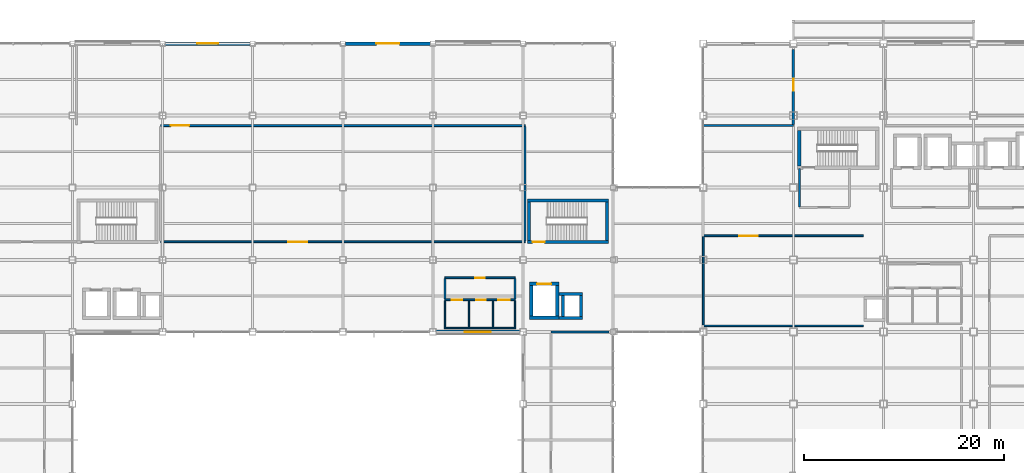
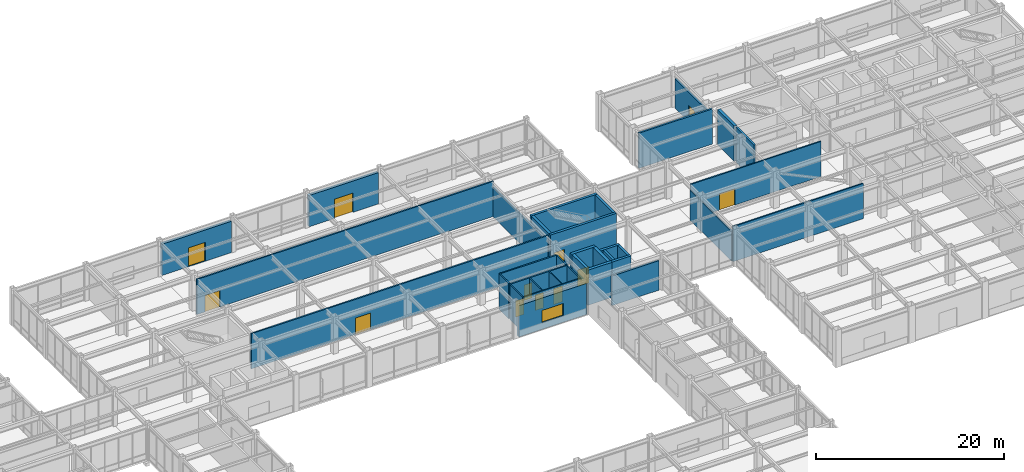
# One storey, part 92 of 112: 35 walls, 12 doors, 1 window, 13 openings.
"""IFC4 building model written with IfcOpenShell, lengths in metres."""

from ifc_helpers import new_model, si_unit, direction, frame, frame_2d, origin, place, context, subcontext, project, spatial, rectangle, extrude, material, layer, layer_set, type_object, element, fill, save


model = new_model("IFC4")

# Units and contexts
model_context = context("Model", 3, precision=1e-05, world=origin(), true_north=direction((0.0, 1.0)))
body_context = subcontext(model_context, "Body", "Model", "MODEL_VIEW")
ifc_project = project(units=[si_unit("LENGTHUNIT", "METRE"), si_unit("AREAUNIT", "SQUARE_METRE"), si_unit("VOLUMEUNIT", "CUBIC_METRE"), si_unit("PLANEANGLEUNIT", "RADIAN"), si_unit("MASSUNIT", "GRAM", prefix="KILO")], contexts=[model_context])

# Site, building, storey
site_placement = place(None, origin())
site = spatial("IfcSite", under=ifc_project, at=site_placement, CompositionType="ELEMENT")
building_placement = place(site_placement, origin())
building = spatial("IfcBuilding", under=site, at=building_placement, Name="Kazanami Central Library", CompositionType="ELEMENT")
storey_placement = place(building_placement, origin())
storey = spatial("IfcBuildingStorey", under=building, at=storey_placement, Name="L01", CompositionType="ELEMENT", Elevation=0.0)

# Wall, opening, window
ifc_material_1 = material(Name="Concrete Fc36 (36 MPa)", Category="concrete")
ifc_layer_1 = layer(ifc_material_1, 0.27001953125, Name="Concrete Fc36 (36 MPa)")
ifc_material_2 = material(Name="Extruded Polystyrene XPS", Category="earth")
ifc_layer_2 = layer(ifc_material_2, 0.050048828125, Name="Extruded Polystyrene XPS")
ifc_material_3 = material(Name="Honed Inada Granite", Category="masonry")
ifc_layer_3 = layer(ifc_material_3, 0.030029296875, Name="Honed Inada Granite")
ifc_layer_set_1 = layer_set([ifc_layer_1, ifc_layer_2, ifc_layer_3], Name="Concrete Fc36 (36 MPa)")
wall_type_1 = type_object("IfcWallType", Name="WAL-EW-350", PredefinedType="STANDARD", material=ifc_layer_set_1)
wall_1_placement = place(storey_placement, frame((90.324951171875, 64.800048828125, 0.0), z_axis=(0.0, 0.0, 1.0), x_axis=(1.0, 0.0, 0.0)))
wall_1 = element("IfcWall", 1, at=wall_1_placement, inside=storey, type_object=wall_type_1, Name="Exterior Facade Wall EW-350 L01 S-K-10", PredefinedType="STANDARD", context=body_context, shape_type="SweptSolid", body=[
    extrude(rectangle(XDim=8.35009765625, YDim=0.35009765625, at=frame_2d((4.175048828125, 0.0))), origin(), (0.0, 0.0, 1.0), 4.054931640625),
])
opening_1_placement = place(wall_1_placement, frame((2.875, 0.0, 0.85009765625)))
opening_1 = element("IfcOpeningElement", 2, at=opening_1_placement, cuts=wall_1, Name="Opening WN-13", PredefinedType="OPENING", context=body_context, shape_type="SweptSolid", body=[
    extrude(rectangle(XDim=2.60009765625, YDim=1.60009765625, at=frame_2d((1.300048828125, 0.800048828125))), frame((0.0, 0.18701171875, 0.0), z_axis=(0.0, -1.0, 0.0), x_axis=(1.0, 0.0, 0.0)), (0.0, 0.0, 1.0), 0.3740234375),
])
ifc_material_4 = material(Name="Low-E Insulated Triple Glass", Category="glass")
window_type = type_object("IfcWindowType", Name="WIN-WN-13", PartitioningType="DOUBLE_PANEL_VERTICAL", PredefinedType="WINDOW", material=ifc_material_4)
window_placement = place(opening_1_placement, origin())
window = element("IfcWindow", 3, at=window_placement, inside=storey, type_object=window_type, Name="Facade Window WN-13 L01 S-K-10", OverallHeight=1.60009765625, OverallWidth=2.60009765625, PartitioningType="DOUBLE_PANEL_VERTICAL", PredefinedType="WINDOW", context=body_context, shape_type="SweptSolid", body=[
    extrude(rectangle(XDim=2.60009765625, YDim=1.60009765625, at=frame_2d((1.300048828125, 0.800048828125))), frame((0.0, 0.030029296875, 0.0), z_axis=(0.0, -1.0, 0.0), x_axis=(1.0, 0.0, 0.0)), (0.0, 0.0, 1.0), 0.06005859375),
])
fill(opening_1, window)

# Wall, opening, door
wall_2_placement = place(storey_placement, frame((71.75, 93.60009765625, 0.0), z_axis=(0.0, 0.0, 1.0), x_axis=(-1.0, 0.0, 0.0)))
wall_2 = element("IfcWall", 4, at=wall_2_placement, inside=storey, type_object=wall_type_1, Name="Exterior Facade Wall EW-350 L01 N-O-07", PredefinedType="STANDARD", context=body_context, shape_type="SweptSolid", body=[
    extrude(rectangle(XDim=8.5, YDim=0.35009765625, at=frame_2d((4.25, 0.0))), origin(), (0.0, 0.0, 1.0), 4.054931640625),
])
opening_2_placement = place(wall_2_placement, frame((3.199951171875, 0.0, 0.0)))
opening_2 = element("IfcOpeningElement", 5, at=opening_2_placement, cuts=wall_2, Name="Opening ED-05", PredefinedType="OPENING", context=body_context, shape_type="SweptSolid", body=[
    extrude(rectangle(XDim=2.10009765625, YDim=2.449951171875, at=frame_2d((1.050048828125, 1.22509765625))), frame((0.0, 0.18701171875, 0.0), z_axis=(0.0, -1.0, 0.0), x_axis=(1.0, 0.0, 0.0)), (0.0, 0.0, 1.0), 0.3740234375),
])
ifc_material_5 = material(Name="Anodised Aluminium A6063-T5", Category="aluminium")
door_type_1 = type_object("IfcDoorType", Name="DOR-ED-05", OperationType="DOUBLE_DOOR_SINGLE_SWING", PredefinedType="DOOR", material=ifc_material_5)
door_1_placement = place(opening_2_placement, frame((2.10009765625, 0.0, 0.0), z_axis=(0.0, 0.0, 1.0), x_axis=(-1.0, 0.0, 0.0)))
door_1 = element("IfcDoor", 6, at=door_1_placement, inside=storey, type_object=door_type_1, Name="Main Pedestrian Exit Door 13", OperationType="DOUBLE_DOOR_SINGLE_SWING", OverallHeight=2.449951171875, OverallWidth=2.10009765625, PredefinedType="DOOR", context=body_context, shape_type="SweptSolid", body=[
    extrude(rectangle(XDim=2.10009765625, YDim=2.449951171875, at=frame_2d((1.050048828125, 1.22509765625))), frame((0.0, 0.02490234375, 0.0), z_axis=(0.0, -1.0, 0.0), x_axis=(1.0, 0.0, 0.0)), (0.0, 0.0, 1.0), 0.050048828125),
])
fill(opening_2, door_1)

wall_3_placement = place(storey_placement, frame((89.75, 93.60009765625, 0.0), z_axis=(0.0, 0.0, 1.0), x_axis=(-1.0, 0.0, 0.0)))
wall_3 = element("IfcWall", 7, at=wall_3_placement, inside=storey, type_object=wall_type_1, Name="Exterior Facade Wall EW-350 L01 N-O-09", PredefinedType="STANDARD", context=body_context, shape_type="SweptSolid", body=[
    extrude(rectangle(XDim=8.5, YDim=0.35009765625, at=frame_2d((4.25, 0.0))), origin(), (0.0, 0.0, 1.0), 4.054931640625),
])
opening_3_placement = place(wall_3_placement, frame((3.10009765625, 0.0, 0.0)))
opening_3 = element("IfcOpeningElement", 8, at=opening_3_placement, cuts=wall_3, Name="Opening ED-06", PredefinedType="OPENING", context=body_context, shape_type="SweptSolid", body=[
    extrude(rectangle(XDim=2.300048828125, YDim=2.5, at=frame_2d((1.14990234375, 1.25))), frame((0.0, 0.18701171875, 0.0), z_axis=(0.0, -1.0, 0.0), x_axis=(1.0, 0.0, 0.0)), (0.0, 0.0, 1.0), 0.3740234375),
])
door_type_2 = type_object("IfcDoorType", Name="DOR-ED-06", OperationType="DOUBLE_DOOR_SINGLE_SWING", PredefinedType="DOOR", material=ifc_material_5)
door_2_placement = place(opening_3_placement, frame((2.300048828125, 0.0, 0.0), z_axis=(0.0, 0.0, 1.0), x_axis=(-1.0, 0.0, 0.0)))
door_2 = element("IfcDoor", 9, at=door_2_placement, inside=storey, type_object=door_type_2, Name="Main Pedestrian Exit Door 14", OperationType="DOUBLE_DOOR_SINGLE_SWING", OverallHeight=2.5, OverallWidth=2.300048828125, PredefinedType="DOOR", context=body_context, shape_type="SweptSolid", body=[
    extrude(rectangle(XDim=2.300048828125, YDim=2.5, at=frame_2d((1.14990234375, 1.25))), frame((0.0, 0.02490234375, 0.0), z_axis=(0.0, -1.0, 0.0), x_axis=(1.0, 0.0, 0.0)), (0.0, 0.0, 1.0), 0.050048828125),
])
fill(opening_3, door_2)

# Wall
ifc_material_6 = material(Name="Fire-Resistant Gypsum Board GB-F", Category="gypsum")
ifc_layer_4 = layer(ifc_material_6, 0.1650390625, Name="Fire-Resistant Gypsum Board GB-F")
ifc_layer_set_2 = layer_set([ifc_layer_4], Name="Fire-Resistant Gypsum Board GB-F")
wall_type_2 = type_object("IfcWallType", Name="WAL-FW-165", PredefinedType="PARTITIONING", material=ifc_layer_set_2)
wall_4_placement = place(storey_placement, frame((117.0, 65.39990234375, 0.0), z_axis=(0.0, 0.0, 1.0), x_axis=(1.0, 0.0, 0.0)))
element("IfcWall", 10, at=wall_4_placement, inside=storey, type_object=wall_type_2, Name="Interior Partition FW-165 L01 RM-41 (South)", PredefinedType="PARTITIONING", context=body_context, shape_type="SweptSolid", body=[
    extrude(rectangle(XDim=16.0, YDim=0.1650390625, at=frame_2d((8.0, 0.0))), origin(), (0.0, 0.0, 1.0), 4.554931640625),
])

# Wall, opening, door
wall_5_placement = place(storey_placement, frame((117.0, 74.39990234375, 0.0), z_axis=(0.0, 0.0, 1.0), x_axis=(1.0, 0.0, 0.0)))
wall_5 = element("IfcWall", 11, at=wall_5_placement, inside=storey, type_object=wall_type_2, Name="Interior Partition FW-165 L01 RM-41 (North)", PredefinedType="PARTITIONING", context=body_context, shape_type="SweptSolid", body=[
    extrude(rectangle(XDim=16.0, YDim=0.1650390625, at=frame_2d((8.0, 0.0))), origin(), (0.0, 0.0, 1.0), 4.554931640625),
])
opening_4_placement = place(wall_5_placement, frame((3.574951171875, 0.0, 0.0)))
opening_4 = element("IfcOpeningElement", 12, at=opening_4_placement, cuts=wall_5, Name="Opening FD30-5", PredefinedType="OPENING", context=body_context, shape_type="SweptSolid", body=[
    extrude(rectangle(XDim=1.85009765625, YDim=2.1201171875, at=frame_2d((0.925048828125, 1.06005859375))), frame((0.0, 0.094482421875, 0.0), z_axis=(0.0, -1.0, 0.0), x_axis=(1.0, 0.0, 0.0)), (0.0, 0.0, 1.0), 0.18896484375),
])
ifc_material_7 = material(Name="Cold-Rolled Steel SPCC", Category="steel")
door_type_3 = type_object("IfcDoorType", Name="DOR-FD30-5", OperationType="DOUBLE_DOOR_SINGLE_SWING", PredefinedType="DOOR", material=ifc_material_7)
door_3_placement = place(opening_4_placement, origin())
door_3 = element("IfcDoor", 13, at=door_3_placement, inside=storey, type_object=door_type_3, Name="Interior Door FD30-5 L01 RM-41", OperationType="DOUBLE_DOOR_SINGLE_SWING", OverallHeight=2.1201171875, OverallWidth=1.85009765625, PredefinedType="DOOR", context=body_context, shape_type="SweptSolid", body=[
    extrude(rectangle(XDim=1.85009765625, YDim=2.1201171875, at=frame_2d((0.925048828125, 1.06005859375))), frame((0.0, 0.02490234375, 0.0), z_axis=(0.0, -1.0, 0.0), x_axis=(1.0, 0.0, 0.0)), (0.0, 0.0, 1.0), 0.050048828125),
])
fill(opening_4, door_3)

# Wall
wall_6_placement = place(storey_placement, frame((117.0, 65.489990234375, 0.0), z_axis=(0.0, 0.0, 1.0), x_axis=(0.0, 1.0, 0.0)))
element("IfcWall", 14, at=wall_6_placement, inside=storey, type_object=wall_type_2, Name="Interior Partition FW-165 L01 RM-41 (West)", PredefinedType="PARTITIONING", context=body_context, shape_type="SweptSolid", body=[
    extrude(rectangle(XDim=8.820068359375, YDim=0.1650390625, at=frame_2d((4.41015625, 0.0))), origin(), (0.0, 0.0, 1.0), 3.8349609375),
])

# Wall, openings, doors
ifc_layer_5 = layer(ifc_material_6, 0.179931640625, Name="Fire-Resistant Gypsum Board GB-F")
ifc_layer_set_3 = layer_set([ifc_layer_5], Name="Fire-Resistant Gypsum Board GB-F")
wall_type_3 = type_object("IfcWallType", Name="WAL-FW-180", PredefinedType="PARTITIONING", material=ifc_layer_set_3)
wall_7_placement = place(storey_placement, frame((91.199951171875, 68.0, 0.0), z_axis=(0.0, 0.0, 1.0), x_axis=(1.0, 0.0, 0.0)))
wall_7 = element("IfcWall", 15, at=wall_7_placement, inside=storey, type_object=wall_type_3, Name="Interior Partition FW-180 L01 WC-V1-LOB (South)", PredefinedType="PARTITIONING", context=body_context, shape_type="SweptSolid", body=[
    extrude(rectangle(XDim=7.0, YDim=0.179931640625, at=frame_2d((3.5, 0.0))), origin(), (0.0, 0.0, 1.0), 4.554931640625),
])
opening_5_placement = place(wall_7_placement, frame((0.675048828125, 0.0, 0.0)))
opening_5 = element("IfcOpeningElement", 16, at=opening_5_placement, cuts=wall_7, Name="Opening FD30-1", PredefinedType="OPENING", context=body_context, shape_type="SweptSolid", body=[
    extrude(rectangle(XDim=1.050048828125, YDim=2.10009765625, at=frame_2d((0.52490234375, 1.050048828125))), frame((0.0, 0.10205078125, 0.0), z_axis=(0.0, -1.0, 0.0), x_axis=(1.0, 0.0, 0.0)), (0.0, 0.0, 1.0), 0.203857421875),
])
opening_6_placement = place(wall_7_placement, frame((3.110107421875, 0.0, 0.0)))
opening_6 = element("IfcOpeningElement", 17, at=opening_6_placement, cuts=wall_7, Name="Opening FD30-3", PredefinedType="OPENING", context=body_context, shape_type="SweptSolid", body=[
    extrude(rectangle(XDim=0.97998046875, YDim=2.02001953125, at=frame_2d((0.489990234375, 1.010009765625))), frame((0.0, 0.10205078125, 0.0), z_axis=(0.0, -1.0, 0.0), x_axis=(1.0, 0.0, 0.0)), (0.0, 0.0, 1.0), 0.203857421875),
])
opening_7_placement = place(wall_7_placement, frame((5.340087890625, 0.0, 0.0)))
opening_7 = element("IfcOpeningElement", 18, at=opening_7_placement, cuts=wall_7, Name="Opening FD30-8", PredefinedType="OPENING", context=body_context, shape_type="SweptSolid", body=[
    extrude(rectangle(XDim=1.1201171875, YDim=2.080078125, at=frame_2d((0.56005859375, 1.0400390625))), frame((0.0, 0.10205078125, 0.0), z_axis=(0.0, -1.0, 0.0), x_axis=(1.0, 0.0, 0.0)), (0.0, 0.0, 1.0), 0.203857421875),
])
door_type_4 = type_object("IfcDoorType", Name="DOR-FD30-1", OperationType="NOTDEFINED", PredefinedType="DOOR", material=ifc_material_7)
door_4_placement = place(opening_5_placement, origin())
door_4 = element("IfcDoor", 19, at=door_4_placement, inside=storey, type_object=door_type_4, Name="Interior Door FD30-1 L01 WC-V1-M", OperationType="SINGLE_SWING_LEFT", OverallHeight=2.10009765625, OverallWidth=1.050048828125, PredefinedType="DOOR", context=body_context, shape_type="SweptSolid", body=[
    extrude(rectangle(XDim=1.050048828125, YDim=2.10009765625, at=frame_2d((0.52490234375, 1.050048828125))), frame((0.0, 0.02490234375, 0.0), z_axis=(0.0, -1.0, 0.0), x_axis=(1.0, 0.0, 0.0)), (0.0, 0.0, 1.0), 0.050048828125),
])
fill(opening_5, door_4)
door_type_5 = type_object("IfcDoorType", Name="DOR-FD30-3", OperationType="NOTDEFINED", PredefinedType="DOOR", material=ifc_material_7)
door_5_placement = place(opening_6_placement, origin())
door_5 = element("IfcDoor", 20, at=door_5_placement, inside=storey, type_object=door_type_5, Name="Interior Door FD30-3 L01 WC-V1-F", OperationType="SINGLE_SWING_RIGHT", OverallHeight=2.02001953125, OverallWidth=0.97998046875, PredefinedType="DOOR", context=body_context, shape_type="SweptSolid", body=[
    extrude(rectangle(XDim=0.97998046875, YDim=2.02001953125, at=frame_2d((0.489990234375, 1.010009765625))), frame((0.0, 0.02490234375, 0.0), z_axis=(0.0, -1.0, 0.0), x_axis=(1.0, 0.0, 0.0)), (0.0, 0.0, 1.0), 0.050048828125),
])
fill(opening_6, door_5)
door_type_6 = type_object("IfcDoorType", Name="DOR-FD30-8", OperationType="NOTDEFINED", PredefinedType="DOOR", material=ifc_material_7)
door_6_placement = place(opening_7_placement, origin())
door_6 = element("IfcDoor", 21, at=door_6_placement, inside=storey, type_object=door_type_6, Name="Interior Door FD30-8 L01 WC-V1-ACC", OperationType="SINGLE_SWING_LEFT", OverallHeight=2.080078125, OverallWidth=1.1201171875, PredefinedType="DOOR", context=body_context, shape_type="SweptSolid", body=[
    extrude(rectangle(XDim=1.1201171875, YDim=2.080078125, at=frame_2d((0.56005859375, 1.0400390625))), frame((0.0, 0.02490234375, 0.0), z_axis=(0.0, -1.0, 0.0), x_axis=(1.0, 0.0, 0.0)), (0.0, 0.0, 1.0), 0.050048828125),
])
fill(opening_7, door_6)

# Wall, opening, door
wall_8_placement = place(storey_placement, frame((91.199951171875, 70.199951171875, 0.0), z_axis=(0.0, 0.0, 1.0), x_axis=(1.0, 0.0, 0.0)))
wall_8 = element("IfcWall", 22, at=wall_8_placement, inside=storey, type_object=wall_type_3, Name="Interior Partition FW-180 L01 WC-V1-LOB (North)", PredefinedType="PARTITIONING", context=body_context, shape_type="SweptSolid", body=[
    extrude(rectangle(XDim=7.0, YDim=0.179931640625, at=frame_2d((3.5, 0.0))), origin(), (0.0, 0.0, 1.0), 4.554931640625),
])
opening_8_placement = place(wall_8_placement, frame((3.010009765625, 0.0, 0.0)))
opening_8 = element("IfcOpeningElement", 23, at=opening_8_placement, cuts=wall_8, Name="Opening FD30-3", PredefinedType="OPENING", context=body_context, shape_type="SweptSolid", body=[
    extrude(rectangle(XDim=0.97998046875, YDim=2.02001953125, at=frame_2d((0.489990234375, 1.010009765625))), frame((0.0, 0.10205078125, 0.0), z_axis=(0.0, -1.0, 0.0), x_axis=(1.0, 0.0, 0.0)), (0.0, 0.0, 1.0), 0.203857421875),
])
door_7_placement = place(opening_8_placement, origin())
door_7 = element("IfcDoor", 24, at=door_7_placement, inside=storey, type_object=door_type_5, Name="Interior Door FD30-3 L01 WC-V1-LOB", OperationType="SINGLE_SWING_RIGHT", OverallHeight=2.02001953125, OverallWidth=0.97998046875, PredefinedType="DOOR", context=body_context, shape_type="SweptSolid", body=[
    extrude(rectangle(XDim=0.97998046875, YDim=2.02001953125, at=frame_2d((0.489990234375, 1.010009765625))), frame((0.0, 0.02490234375, 0.0), z_axis=(0.0, -1.0, 0.0), x_axis=(1.0, 0.0, 0.0)), (0.0, 0.0, 1.0), 0.050048828125),
])
fill(opening_8, door_7)

# Walls
for number, where, z_axis, x_axis, name in (
    (25, (91.199951171875, 68.090087890625, 0.0), (0.0, 0.0, 1.0), (0.0, 1.0, 0.0), "Interior Partition FW-180 L01 WC-V1-LOB (West)"),
    (26, (98.199951171875, 68.090087890625, 0.0), (0.0, 0.0, 1.0), (0.0, 1.0, 0.0), "Interior Partition FW-180 L01 WC-V1-LOB (East)"),
):
    element("IfcWall", number, at=place(storey_placement, frame(where, z_axis=z_axis, x_axis=x_axis)), inside=storey, type_object=wall_type_3, Name=name, PredefinedType="PARTITIONING", context=body_context, shape_type="SweptSolid", body=[
        extrude(rectangle(XDim=2.02001953125, YDim=0.179931640625, at=frame_2d((1.010009765625, 0.0))), origin(), (0.0, 0.0, 1.0), 4.554931640625),
    ])

# Wall, opening, door
wall_9_placement = place(storey_placement, frame((62.800048828125, 73.800048828125, 0.0), z_axis=(0.0, 0.0, 1.0), x_axis=(1.0, 0.0, 0.0)))
wall_9 = element("IfcWall", 27, at=wall_9_placement, inside=storey, type_object=wall_type_3, Name="Interior Partition FW-180 L01 RM-31 (South)", PredefinedType="PARTITIONING", context=body_context, shape_type="SweptSolid", body=[
    extrude(rectangle(XDim=36.39990234375, YDim=0.179931640625, at=frame_2d((18.199951171875, 0.0))), origin(), (0.0, 0.0, 1.0), 4.554931640625),
])
opening_9_placement = place(wall_9_placement, frame((12.77490234375, 0.0, 0.0)))
opening_9 = element("IfcOpeningElement", 28, at=opening_9_placement, cuts=wall_9, Name="Opening FD30-5", PredefinedType="OPENING", context=body_context, shape_type="SweptSolid", body=[
    extrude(rectangle(XDim=1.85009765625, YDim=2.1201171875, at=frame_2d((0.925048828125, 1.06005859375))), frame((0.0, 0.10205078125, 0.0), z_axis=(0.0, -1.0, 0.0), x_axis=(1.0, 0.0, 0.0)), (0.0, 0.0, 1.0), 0.203857421875),
])
door_8_placement = place(opening_9_placement, origin())
door_8 = element("IfcDoor", 29, at=door_8_placement, inside=storey, type_object=door_type_3, Name="Interior Door FD30-5 L01 RM-31", OperationType="DOUBLE_DOOR_SINGLE_SWING", OverallHeight=2.1201171875, OverallWidth=1.85009765625, PredefinedType="DOOR", context=body_context, shape_type="SweptSolid", body=[
    extrude(rectangle(XDim=1.85009765625, YDim=2.1201171875, at=frame_2d((0.925048828125, 1.06005859375))), frame((0.0, 0.02490234375, 0.0), z_axis=(0.0, -1.0, 0.0), x_axis=(1.0, 0.0, 0.0)), (0.0, 0.0, 1.0), 0.050048828125),
])
fill(opening_9, door_8)

wall_10_placement = place(storey_placement, frame((62.800048828125, 85.39990234375, 0.0), z_axis=(0.0, 0.0, 1.0), x_axis=(1.0, 0.0, 0.0)))
wall_10 = element("IfcWall", 30, at=wall_10_placement, inside=storey, type_object=wall_type_3, Name="Interior Partition FW-180 L01 RM-31 (North)", PredefinedType="PARTITIONING", context=body_context, shape_type="SweptSolid", body=[
    extrude(rectangle(XDim=36.39990234375, YDim=0.179931640625, at=frame_2d((18.199951171875, 0.0))), origin(), (0.0, 0.0, 1.0), 4.554931640625),
])
opening_10_placement = place(wall_10_placement, frame((1.0, 0.0, 0.0)))
opening_10 = element("IfcOpeningElement", 31, at=opening_10_placement, cuts=wall_10, Name="Opening FD30-5", PredefinedType="OPENING", context=body_context, shape_type="SweptSolid", body=[
    extrude(rectangle(XDim=1.85009765625, YDim=2.1201171875, at=frame_2d((0.925048828125, 1.06005859375))), frame((0.0, 0.10205078125, 0.0), z_axis=(0.0, -1.0, 0.0), x_axis=(1.0, 0.0, 0.0)), (0.0, 0.0, 1.0), 0.203857421875),
])
door_9_placement = place(opening_10_placement, origin())
door_9 = element("IfcDoor", 32, at=door_9_placement, inside=storey, type_object=door_type_3, Name="Interior Door FD30-5 L01 RM-34", OperationType="DOUBLE_DOOR_SINGLE_SWING", OverallHeight=2.1201171875, OverallWidth=1.85009765625, PredefinedType="DOOR", context=body_context, shape_type="SweptSolid", body=[
    extrude(rectangle(XDim=1.85009765625, YDim=2.1201171875, at=frame_2d((0.925048828125, 1.06005859375))), frame((0.0, 0.02490234375, 0.0), z_axis=(0.0, -1.0, 0.0), x_axis=(1.0, 0.0, 0.0)), (0.0, 0.0, 1.0), 0.050048828125),
])
fill(opening_10, door_9)

# Walls
wall_11_placement = place(storey_placement, frame((99.199951171875, 73.889892578125, 0.0), z_axis=(0.0, 0.0, 1.0), x_axis=(0.0, 1.0, 0.0)))
element("IfcWall", 33, at=wall_11_placement, inside=storey, type_object=wall_type_3, Name="Interior Partition FW-180 L01 RM-31 (East)", PredefinedType="PARTITIONING", context=body_context, shape_type="SweptSolid", body=[
    extrude(rectangle(XDim=11.420166015625, YDim=0.179931640625, at=frame_2d((5.7099609375, 0.0))), origin(), (0.0, 0.0, 1.0), 3.8349609375),
])
ifc_layer_6 = layer(ifc_material_6, 0.199951171875, Name="Fire-Resistant Gypsum Board GB-F")
ifc_layer_set_4 = layer_set([ifc_layer_6], Name="Fire-Resistant Gypsum Board GB-F")
wall_type_4 = type_object("IfcWallType", Name="WAL-FW-200", PredefinedType="PARTITIONING", material=ifc_layer_set_4)
wall_12_placement = place(storey_placement, frame((126.60009765625, 77.2900390625, 0.0), z_axis=(0.0, 0.0, 1.0), x_axis=(0.0, 1.0, 0.0)))
element("IfcWall", 34, at=wall_12_placement, inside=storey, type_object=wall_type_4, Name="Interior Partition FW-200 L01 VEST-ST-01 (West)", PredefinedType="PARTITIONING", context=body_context, shape_type="SweptSolid", body=[
    extrude(rectangle(XDim=3.820068359375, YDim=0.199951171875, at=frame_2d((1.91015625, 0.0))), origin(), (0.0, 0.0, 1.0), 4.554931640625),
])
wall_13_placement = place(storey_placement, frame((101.800048828125, 64.800048828125, 0.0), z_axis=(0.0, 0.0, 1.0), x_axis=(1.0, 0.0, 0.0)))
element("IfcWall", 35, at=wall_13_placement, inside=storey, type_object=wall_type_4, Name="Interior Partition FW-200 L01 RM-30 (North)", PredefinedType="PARTITIONING", context=body_context, shape_type="SweptSolid", body=[
    extrude(rectangle(XDim=5.780029296875, YDim=0.199951171875, at=frame_2d((2.89013671875, 0.0))), origin(), (0.0, 0.0, 1.0), 3.8349609375),
])
ifc_layer_7 = layer(ifc_material_6, 0.219970703125, Name="Fire-Resistant Gypsum Board GB-F")
ifc_layer_set_5 = layer_set([ifc_layer_7], Name="Fire-Resistant Gypsum Board GB-F")
wall_type_5 = type_object("IfcWallType", Name="WAL-FW-220", PredefinedType="PARTITIONING", material=ifc_layer_set_5)
wall_14_placement = place(storey_placement, frame((117.034912109375, 85.39990234375, 0.0), z_axis=(0.0, 0.0, 1.0), x_axis=(1.0, 0.0, 0.0)))
element("IfcWall", 36, at=wall_14_placement, inside=storey, type_object=wall_type_5, Name="Interior Partition FW-220 L01 RM-44 (South)", PredefinedType="PARTITIONING", context=body_context, shape_type="SweptSolid", body=[
    extrude(rectangle(XDim=8.965087890625, YDim=0.219970703125, at=frame_2d((4.482421875, 0.0))), origin(), (0.0, 0.0, 1.0), 4.554931640625),
])

# Wall, opening, door
wall_15_placement = place(storey_placement, frame((126.0, 85.489990234375, 0.0), z_axis=(0.0, 0.0, 1.0), x_axis=(0.0, 1.0, 0.0)))
wall_15 = element("IfcWall", 37, at=wall_15_placement, inside=storey, type_object=wall_type_5, Name="Interior Partition FW-220 L01 RM-44 (East)", PredefinedType="PARTITIONING", context=body_context, shape_type="SweptSolid", body=[
    extrude(rectangle(XDim=7.510009765625, YDim=0.219970703125, at=frame_2d((3.7548828125, 0.0))), origin(), (0.0, 0.0, 1.0), 3.8349609375),
])
opening_11_placement = place(wall_15_placement, frame((3.409912109375, 0.0, 0.0)))
opening_11 = element("IfcOpeningElement", 38, at=opening_11_placement, cuts=wall_15, Name="Opening FD60-1", PredefinedType="OPENING", context=body_context, shape_type="SweptSolid", body=[
    extrude(rectangle(XDim=1.199951171875, YDim=2.10009765625, at=frame_2d((0.60009765625, 1.050048828125))), frame((0.0, 0.1220703125, 0.0), z_axis=(0.0, -1.0, 0.0), x_axis=(1.0, 0.0, 0.0)), (0.0, 0.0, 1.0), 0.243896484375),
])
door_type_7 = type_object("IfcDoorType", Name="DOR-FD60-1", OperationType="NOTDEFINED", PredefinedType="DOOR", material=ifc_material_7)
door_10_placement = place(opening_11_placement, origin())
door_10 = element("IfcDoor", 39, at=door_10_placement, inside=storey, type_object=door_type_7, Name="Interior Door FD60-1 L01 RM-44", OperationType="SINGLE_SWING_RIGHT", OverallHeight=2.10009765625, OverallWidth=1.199951171875, PredefinedType="DOOR", context=body_context, shape_type="SweptSolid", body=[
    extrude(rectangle(XDim=1.199951171875, YDim=2.10009765625, at=frame_2d((0.60009765625, 1.050048828125))), frame((0.0, 0.02490234375, 0.0), z_axis=(0.0, -1.0, 0.0), x_axis=(1.0, 0.0, 0.0)), (0.0, 0.0, 1.0), 0.050048828125),
])
fill(opening_11, door_10)

# Walls
ifc_material_8 = material(Name="Gypsum Plasterboard GB-R", Category="gypsum")
ifc_layer_8 = layer(ifc_material_8, 0.125, Name="Gypsum Plasterboard GB-R")
ifc_layer_set_6 = layer_set([ifc_layer_8], Name="Gypsum Plasterboard GB-R")
wall_type_6 = type_object("IfcWallType", Name="WAL-PW-125", PredefinedType="PARTITIONING", material=ifc_layer_set_6)
wall_16_placement = place(storey_placement, frame((91.137451171875, 65.1923828125, 0.0), z_axis=(0.0, 0.0, 1.0), x_axis=(1.0, 0.0, 0.0)))
element("IfcWall", 40, at=wall_16_placement, inside=storey, type_object=wall_type_6, Name="Interior Partition PW-125 L01 WC-V1 (South)", PredefinedType="PARTITIONING", context=body_context, shape_type="SweptSolid", body=[
    extrude(rectangle(XDim=7.125, YDim=0.125, at=frame_2d((3.5625, 0.0))), origin(), (0.0, 0.0, 1.0), 4.554931640625),
])
for number, where, z_axis, x_axis, name in (
    (41, (91.199951171875, 65.2548828125, 0.0), (0.0, 0.0, 1.0), (0.0, 1.0, 0.0), "Interior Partition PW-125 L01 WC-V1-M (West)"),
    (42, (93.60009765625, 65.2548828125, 0.0), (0.0, 0.0, 1.0), (0.0, 1.0, 0.0), "Interior Partition PW-125 L01 WC-V1-M (East)"),
    (43, (96.0, 65.2548828125, 0.0), (0.0, 0.0, 1.0), (0.0, 1.0, 0.0), "Interior Partition PW-125 L01 WC-V1-F (East)"),
    (44, (98.199951171875, 65.2548828125, 0.0), (0.0, 0.0, 1.0), (0.0, 1.0, 0.0), "Interior Partition PW-125 L01 WC-V1-ACC (East)"),
):
    element("IfcWall", number, at=place(storey_placement, frame(where, z_axis=z_axis, x_axis=x_axis)), inside=storey, type_object=wall_type_6, Name=name, PredefinedType="PARTITIONING", context=body_context, shape_type="SweptSolid", body=[
        extrude(rectangle(XDim=2.655029296875, YDim=0.125, at=frame_2d((1.32763671875, 0.0))), origin(), (0.0, 0.0, 1.0), 4.554931640625),
    ])

# Wall, opening, door
ifc_layer_9 = layer(ifc_material_1, 0.300048828125, Name="Concrete Fc36 (36 MPa)")
ifc_layer_set_7 = layer_set([ifc_layer_9], Name="Concrete Fc36 (36 MPa)")
wall_type_7 = type_object("IfcWallType", Name="WAL-SW-300", PredefinedType="SHEAR", material=ifc_layer_set_7)
wall_17_placement = place(storey_placement, frame((99.449951171875, 73.800048828125, 0.0), z_axis=(0.0, 0.0, 1.0), x_axis=(1.0, 0.0, 0.0)))
wall_17 = element("IfcWall", 45, at=wall_17_placement, inside=storey, type_object=wall_type_7, Name="Stair Core Wall ST-04 South L01", PredefinedType="SHEAR", context=body_context, shape_type="SweptSolid", body=[
    extrude(rectangle(XDim=8.10009765625, YDim=0.300048828125, at=frame_2d((4.050048828125, 0.0))), origin(), (0.0, 0.0, 1.0), 4.554931640625),
])
opening_12_placement = place(wall_17_placement, frame((0.5, 0.0, 0.0)))
opening_12 = element("IfcOpeningElement", 46, at=opening_12_placement, cuts=wall_17, Name="Opening FD60-1", PredefinedType="OPENING", context=body_context, shape_type="SweptSolid", body=[
    extrude(rectangle(XDim=1.199951171875, YDim=2.10009765625, at=frame_2d((0.60009765625, 1.050048828125))), frame((0.0, 0.162109375, 0.0), z_axis=(0.0, -1.0, 0.0), x_axis=(1.0, 0.0, 0.0)), (0.0, 0.0, 1.0), 0.323974609375),
])
door_11_placement = place(opening_12_placement, frame((1.199951171875, 0.0, 0.0), z_axis=(0.0, 0.0, 1.0), x_axis=(-1.0, 0.0, 0.0)))
door_11 = element("IfcDoor", 47, at=door_11_placement, inside=storey, type_object=door_type_7, Name="Escape Stair ST-04 Fire Door L01", OperationType="SINGLE_SWING_LEFT", OverallHeight=2.10009765625, OverallWidth=1.199951171875, PredefinedType="DOOR", context=body_context, shape_type="SweptSolid", body=[
    extrude(rectangle(XDim=1.199951171875, YDim=2.10009765625, at=frame_2d((0.60009765625, 1.050048828125))), frame((0.0, 0.02490234375, 0.0), z_axis=(0.0, -1.0, 0.0), x_axis=(1.0, 0.0, 0.0)), (0.0, 0.0, 1.0), 0.050048828125),
])
fill(opening_12, door_11)

# Walls
wall_18_placement = place(storey_placement, frame((99.449951171875, 77.89990234375, 0.0), z_axis=(0.0, 0.0, 1.0), x_axis=(1.0, 0.0, 0.0)))
element("IfcWall", 48, at=wall_18_placement, inside=storey, type_object=wall_type_7, Name="Stair Core Wall ST-04 North L01", PredefinedType="SHEAR", context=body_context, shape_type="SweptSolid", body=[
    extrude(rectangle(XDim=8.10009765625, YDim=0.300048828125, at=frame_2d((4.050048828125, 0.0))), origin(), (0.0, 0.0, 1.0), 4.554931640625),
])
for number, where, z_axis, x_axis, name in (
    (49, (99.60009765625, 73.949951171875, 0.0), (0.0, 0.0, 1.0), (0.0, 1.0, 0.0), "Stair Core Wall ST-04 West L01"),
    (50, (107.39990234375, 73.949951171875, 0.0), (0.0, 0.0, 1.0), (0.0, 1.0, 0.0), "Stair Core Wall ST-04 East L01"),
):
    element("IfcWall", number, at=place(storey_placement, frame(where, z_axis=z_axis, x_axis=x_axis)), inside=storey, type_object=wall_type_7, Name=name, PredefinedType="SHEAR", context=body_context, shape_type="SweptSolid", body=[
        extrude(rectangle(XDim=3.800048828125, YDim=0.300048828125, at=frame_2d((1.89990234375, 0.0))), origin(), (0.0, 0.0, 1.0), 4.554931640625),
    ])
for number, where, z_axis, x_axis, name in (
    (51, (102.574951171875, 66.199951171875, 0.0), (0.0, 0.0, 1.0), (1.0, 0.0, 0.0), "Service Riser Wall RSR-V1-B S L01"),
    (52, (102.574951171875, 68.60009765625, 0.0), (0.0, 0.0, 1.0), (1.0, 0.0, 0.0), "Service Riser Wall RSR-V1-B N L01"),
):
    element("IfcWall", number, at=place(storey_placement, frame(where, z_axis=z_axis, x_axis=x_axis)), inside=storey, type_object=wall_type_7, Name=name, PredefinedType="SHEAR", context=body_context, shape_type="SweptSolid", body=[
        extrude(rectangle(XDim=2.375, YDim=0.300048828125, at=frame_2d((1.1875, 0.0))), origin(), (0.0, 0.0, 1.0), 4.554931640625),
    ])
for number, where, z_axis, x_axis, name in (
    (53, (103.0, 66.35009765625, 0.0), (0.0, 0.0, 1.0), (0.0, 1.0, 0.0), "Service Riser Wall RSR-V1-B W L01"),
    (54, (104.800048828125, 66.35009765625, 0.0), (0.0, 0.0, 1.0), (0.0, 1.0, 0.0), "Service Riser Wall RSR-V1-B E L01"),
):
    element("IfcWall", number, at=place(storey_placement, frame(where, z_axis=z_axis, x_axis=x_axis)), inside=storey, type_object=wall_type_7, Name=name, PredefinedType="SHEAR", context=body_context, shape_type="SweptSolid", body=[
        extrude(rectangle(XDim=2.099853515625, YDim=0.300048828125, at=frame_2d((1.0498046875, 0.0))), origin(), (0.0, 0.0, 1.0), 4.554931640625),
    ])
ifc_layer_10 = layer(ifc_material_1, 0.35009765625, Name="Concrete Fc36 (36 MPa)")
ifc_layer_set_8 = layer_set([ifc_layer_10], Name="Concrete Fc36 (36 MPa)")
wall_type_8 = type_object("IfcWallType", Name="WAL-SW-350", PredefinedType="SHEAR", material=ifc_layer_set_8)
wall_19_placement = place(storey_placement, frame((126.60009765625, 81.375, 0.0), z_axis=(0.0, 0.0, 1.0), x_axis=(0.0, 1.0, 0.0)))
element("IfcWall", 55, at=wall_19_placement, inside=storey, type_object=wall_type_8, Name="Stair Core Wall ST-01 West L01", PredefinedType="SHEAR", context=body_context, shape_type="SweptSolid", body=[
    extrude(rectangle(XDim=3.550048828125, YDim=0.35009765625, at=frame_2d((1.77490234375, 0.0))), origin(), (0.0, 0.0, 1.0), 4.554931640625),
])
wall_20_placement = place(storey_placement, frame((99.625, 66.199951171875, 0.0), z_axis=(0.0, 0.0, 1.0), x_axis=(1.0, 0.0, 0.0)))
element("IfcWall", 56, at=wall_20_placement, inside=storey, type_object=wall_type_8, Name="Lift Shaft Wall EL-S2 South L01", PredefinedType="SHEAR", context=body_context, shape_type="SweptSolid", body=[
    extrude(rectangle(XDim=2.949951171875, YDim=0.35009765625, at=frame_2d((1.47509765625, 0.0))), origin(), (0.0, 0.0, 1.0), 4.554931640625),
])

# Wall, opening, door
wall_21_placement = place(storey_placement, frame((99.625, 69.60009765625, 0.0), z_axis=(0.0, 0.0, 1.0), x_axis=(1.0, 0.0, 0.0)))
wall_21 = element("IfcWall", 57, at=wall_21_placement, inside=storey, type_object=wall_type_8, Name="Lift Shaft Wall EL-S2 North L01", PredefinedType="SHEAR", context=body_context, shape_type="SweptSolid", body=[
    extrude(rectangle(XDim=2.949951171875, YDim=0.35009765625, at=frame_2d((1.47509765625, 0.0))), origin(), (0.0, 0.0, 1.0), 4.554931640625),
])
opening_13_placement = place(wall_21_placement, frame((0.77490234375, 0.0, 0.0)))
opening_13 = element("IfcOpeningElement", 58, at=opening_13_placement, cuts=wall_21, Name="Opening LD-03", PredefinedType="OPENING", context=body_context, shape_type="SweptSolid", body=[
    extrude(rectangle(XDim=1.39990234375, YDim=2.14990234375, at=frame_2d((0.699951171875, 1.074951171875))), frame((0.0, 0.18701171875, 0.0), z_axis=(0.0, -1.0, 0.0), x_axis=(1.0, 0.0, 0.0)), (0.0, 0.0, 1.0), 0.3740234375),
])
ifc_material_9 = material(Name="Stainless Steel SUS304", Category="steel")
door_type_8 = type_object("IfcDoorType", Name="DOR-LD-03", OperationType="SLIDING_TO_LEFT", PredefinedType="DOOR", material=ifc_material_9)
door_12_placement = place(opening_13_placement, origin())
door_12 = element("IfcDoor", 59, at=door_12_placement, inside=storey, type_object=door_type_8, Name="Lift Landing Sliding Door EL-S2 (L01)", OperationType="SLIDING_TO_RIGHT", OverallHeight=2.14990234375, OverallWidth=1.39990234375, PredefinedType="DOOR", context=body_context, shape_type="SweptSolid", body=[
    extrude(rectangle(XDim=1.39990234375, YDim=2.14990234375, at=frame_2d((0.699951171875, 1.074951171875))), frame((0.0, 0.02490234375, 0.0), z_axis=(0.0, -1.0, 0.0), x_axis=(1.0, 0.0, 0.0)), (0.0, 0.0, 1.0), 0.050048828125),
])
fill(opening_13, door_12)

# Walls
for number, where, z_axis, x_axis, name in (
    (60, (99.800048828125, 66.375, 0.0), (0.0, 0.0, 1.0), (0.0, 1.0, 0.0), "Lift Shaft Wall EL-S2 West L01"),
    (61, (102.39990234375, 66.375, 0.0), (0.0, 0.0, 1.0), (0.0, 1.0, 0.0), "Lift Shaft Wall EL-S2 East L01"),
):
    element("IfcWall", number, at=place(storey_placement, frame(where, z_axis=z_axis, x_axis=x_axis)), inside=storey, type_object=wall_type_8, Name=name, PredefinedType="SHEAR", context=body_context, shape_type="SweptSolid", body=[
        extrude(rectangle(XDim=3.050048828125, YDim=0.35009765625, at=frame_2d((1.52490234375, 0.0))), origin(), (0.0, 0.0, 1.0), 4.554931640625),
    ])

save(model, "model.ifc")
